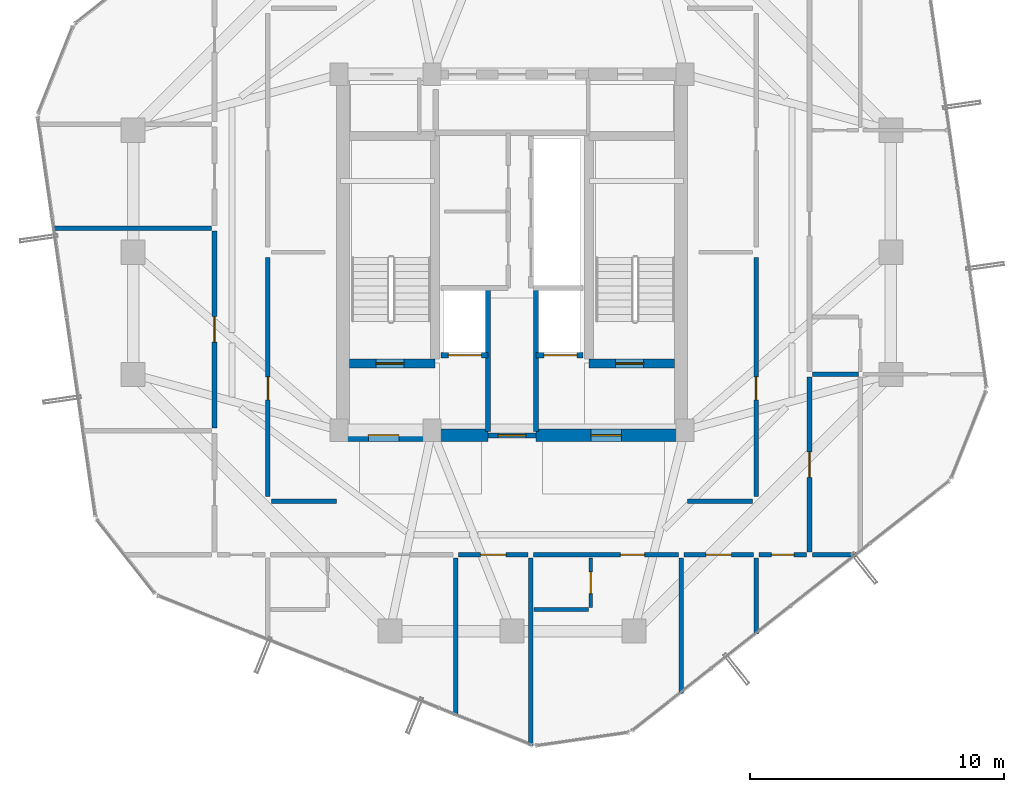
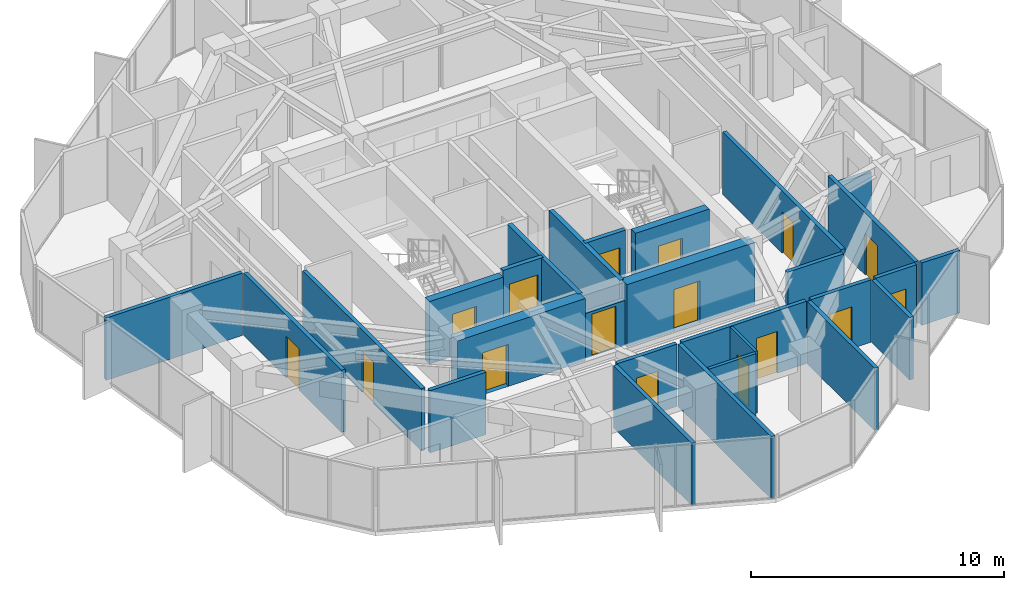
# One storey, part 27 of 31: 28 walls, 16 doors, 16 openings.
"""IFC4 building model written with IfcOpenShell, lengths in metres."""

from ifc_helpers import new_model, si_unit, direction, frame, frame_2d, origin, place, context, subcontext, project, spatial, rectangle, extrude, source, transform, mapped, material, layer, layer_set, type_object, element, fill, save


model = new_model("IFC4")

# Units and contexts
model_context = context("Model", 3, precision=1e-05, world=origin(), true_north=direction((0.0, 1.0)))
body_context = subcontext(model_context, "Body", "Model", "MODEL_VIEW")
ifc_project = project(units=[si_unit("LENGTHUNIT", "METRE"), si_unit("AREAUNIT", "SQUARE_METRE"), si_unit("VOLUMEUNIT", "CUBIC_METRE"), si_unit("PLANEANGLEUNIT", "RADIAN"), si_unit("MASSUNIT", "GRAM", prefix="KILO")], contexts=[model_context])

# Site, building, storey
site_placement = place(None, origin())
site = spatial("IfcSite", under=ifc_project, at=site_placement, CompositionType="ELEMENT")
building_placement = place(site_placement, origin())
building = spatial("IfcBuilding", under=site, at=building_placement, Name="Veraguas Prism Commons", CompositionType="ELEMENT")
storey_placement = place(building_placement, frame((0.0, 0.0, 178.85009765625)))
storey = spatial("IfcBuildingStorey", under=building, at=storey_placement, Name="L50", CompositionType="ELEMENT", Elevation=178.85009765625)

# Wall, opening, door
ifc_material_1 = material(Name="Concrete C50/60", Category="concrete")
ifc_layer_1 = layer(ifc_material_1, 0.35009765625, Name="Core Internal Shear Wall Upper RC 350", Category="concrete")
ifc_layer_set_1 = layer_set([ifc_layer_1], Name="Concrete C50/60")
wall_type_1 = type_object("IfcWallType", Name="Core Internal Shear Wall Upper RC 350", PredefinedType="SHEAR", material=ifc_layer_set_1)
wall_1_placement = place(storey_placement, frame((17.60009765625, 19.625, 0.0), z_axis=(0.0, 0.0, 1.0), x_axis=(1.0, 0.0, 0.0)))
wall_1 = element("IfcWall", 1, at=wall_1_placement, inside=storey, type_object=wall_type_1, Name="Stair ST-01 South Shear Wall L50", PredefinedType="SHEAR", context=body_context, shape_type="SweptSolid", body=[
    extrude(rectangle(XDim=3.375, YDim=0.35009765625, at=frame_2d((1.6875, 0.0))), origin(), (0.0, 0.0, 1.0), 3.014892578125),
])
opening_1_placement = place(wall_1_placement, frame((1.050048828125, 0.0, 0.0)))
opening_1 = element("IfcOpeningElement", 2, at=opening_1_placement, cuts=wall_1, Name="Opening DR-05", PredefinedType="OPENING", context=body_context, shape_type="SweptSolid", body=[
    extrude(rectangle(XDim=1.10009765625, YDim=2.030029296875, at=frame_2d((0.550048828125, 1.01513671875))), frame((0.0, 0.18505859375, 0.0), z_axis=(0.0, -1.0, 0.0), x_axis=(1.0, 0.0, 0.0)), (0.0, 0.0, 1.0), 0.3701171875),
])
ifc_material_2 = material(Name="Steel fire-rated door assembly", Category="steel")
door_type_1 = type_object("IfcDoorType", Name="Protected Stair and Refuge Fire Door 1100x2030", OperationType="NOTDEFINED", PredefinedType="DOOR", material=ifc_material_2)
shared_shape_1 = source(origin(), body_context, "Body", "SweptSolid", [
    extrude(rectangle(XDim=1.10009765625, YDim=2.030029296875, at=frame_2d((0.550048828125, 1.01513671875))), frame((0.0, 0.02490234375, 0.0), z_axis=(0.0, -1.0, 0.0), x_axis=(1.0, 0.0, 0.0)), (0.0, 0.0, 1.0), 0.050048828125),
])
door_1_placement = place(opening_1_placement, origin())
door_1 = element("IfcDoor", 3, at=door_1_placement, inside=storey, type_object=door_type_1, Name="Stair ST-01 Enclosure Door L50", OperationType="SINGLE_SWING_LEFT", OverallHeight=2.030029296875, OverallWidth=1.10009765625, PredefinedType="DOOR", context=body_context, shape_type="MappedRepresentation", body=[
    mapped(shared_shape_1, transform((0.0, 0.0, 0.0), scale=1.0)),
])
fill(opening_1, door_1)

wall_2_placement = place(storey_placement, frame((27.02490234375, 19.625, 0.0), z_axis=(0.0, 0.0, 1.0), x_axis=(1.0, 0.0, 0.0)))
wall_2 = element("IfcWall", 4, at=wall_2_placement, inside=storey, type_object=wall_type_1, Name="Stair ST-02 South Shear Wall L50", PredefinedType="SHEAR", context=body_context, shape_type="SweptSolid", body=[
    extrude(rectangle(XDim=3.375, YDim=0.35009765625, at=frame_2d((1.6875, 0.0))), origin(), (0.0, 0.0, 1.0), 3.014892578125),
])
opening_2_placement = place(wall_2_placement, frame((1.050048828125, 0.0, 0.0)))
opening_2 = element("IfcOpeningElement", 5, at=opening_2_placement, cuts=wall_2, Name="Opening DR-05", PredefinedType="OPENING", context=body_context, shape_type="SweptSolid", body=[
    extrude(rectangle(XDim=1.10009765625, YDim=2.030029296875, at=frame_2d((0.550048828125, 1.01513671875))), frame((0.0, 0.18505859375, 0.0), z_axis=(0.0, -1.0, 0.0), x_axis=(1.0, 0.0, 0.0)), (0.0, 0.0, 1.0), 0.3701171875),
])
door_2_placement = place(opening_2_placement, origin())
door_2 = element("IfcDoor", 6, at=door_2_placement, inside=storey, type_object=door_type_1, Name="Stair ST-02 Enclosure Door L50", OperationType="SINGLE_SWING_RIGHT", OverallHeight=2.030029296875, OverallWidth=1.10009765625, PredefinedType="DOOR", context=body_context, shape_type="MappedRepresentation", body=[
    mapped(shared_shape_1, transform((0.0, 0.0, 0.0), scale=1.0)),
])
fill(opening_2, door_2)

ifc_layer_2 = layer(ifc_material_1, 0.5, Name="Core Outer Shear Wall Upper RC 500", Category="concrete")
ifc_layer_set_2 = layer_set([ifc_layer_2], Name="Concrete C50/60")
wall_type_2 = type_object("IfcWallType", Name="Core Outer Shear Wall Upper RC 500", PredefinedType="SHEAR", material=ifc_layer_set_2)
wall_3_placement = place(storey_placement, frame((17.199951171875, 16.800048828125, 0.0), z_axis=(0.0, 0.0, 1.0), x_axis=(1.0, 0.0, 0.0)))
wall_3 = element("IfcWall", 7, at=wall_3_placement, inside=storey, type_object=wall_type_2, Name="Central Core South-West Shear Wall L50", PredefinedType="SHEAR", context=body_context, shape_type="SweptSolid", body=[
    extrude(rectangle(XDim=5.85009765625, YDim=0.5, at=frame_2d((2.925048828125, 0.0))), origin(), (0.0, 0.0, 1.0), 3.014892578125),
])
opening_3_placement = place(wall_3_placement, frame((1.14990234375, 0.0, 0.0)))
opening_3 = element("IfcOpeningElement", 8, at=opening_3_placement, cuts=wall_3, Name="Opening DR-06", PredefinedType="OPENING", context=body_context, shape_type="SweptSolid", body=[
    extrude(rectangle(XDim=1.199951171875, YDim=2.030029296875, at=frame_2d((0.60009765625, 1.01513671875))), frame((0.0, 0.260009765625, 0.0), z_axis=(0.0, -1.0, 0.0), x_axis=(1.0, 0.0, 0.0)), (0.0, 0.0, 1.0), 0.52001953125),
])
door_type_2 = type_object("IfcDoorType", Name="Firefighting Lobby Smoke Door 1200x2030", OperationType="NOTDEFINED", PredefinedType="DOOR", material=ifc_material_2)
shared_shape_2 = source(origin(), body_context, "Body", "SweptSolid", [
    extrude(rectangle(XDim=1.199951171875, YDim=2.030029296875, at=frame_2d((0.60009765625, 1.01513671875))), frame((0.0, 0.02490234375, 0.0), z_axis=(0.0, -1.0, 0.0), x_axis=(1.0, 0.0, 0.0)), (0.0, 0.0, 1.0), 0.050048828125),
])
door_3_placement = place(opening_3_placement, origin())
door_3 = element("IfcDoor", 9, at=door_3_placement, inside=storey, type_object=door_type_2, Name="West FF Lobby Door L50", OperationType="SINGLE_SWING_RIGHT", OverallHeight=2.030029296875, OverallWidth=1.199951171875, PredefinedType="DOOR", context=body_context, shape_type="MappedRepresentation", body=[
    mapped(shared_shape_2, transform((0.0, 0.0, 0.0), scale=1.0)),
])
fill(opening_3, door_3)

wall_4_placement = place(storey_placement, frame((24.949951171875, 16.800048828125, 0.0), z_axis=(0.0, 0.0, 1.0), x_axis=(1.0, 0.0, 0.0)))
wall_4 = element("IfcWall", 10, at=wall_4_placement, inside=storey, type_object=wall_type_2, Name="Central Core South-East Shear Wall L50", PredefinedType="SHEAR", context=body_context, shape_type="SweptSolid", body=[
    extrude(rectangle(XDim=5.85009765625, YDim=0.5, at=frame_2d((2.925048828125, 0.0))), origin(), (0.0, 0.0, 1.0), 3.014892578125),
])
opening_4_placement = place(wall_4_placement, frame((2.14990234375, 0.0, 0.0)))
opening_4 = element("IfcOpeningElement", 11, at=opening_4_placement, cuts=wall_4, Name="Opening DR-06", PredefinedType="OPENING", context=body_context, shape_type="SweptSolid", body=[
    extrude(rectangle(XDim=1.199951171875, YDim=2.030029296875, at=frame_2d((0.60009765625, 1.01513671875))), frame((0.0, 0.260009765625, 0.0), z_axis=(0.0, -1.0, 0.0), x_axis=(1.0, 0.0, 0.0)), (0.0, 0.0, 1.0), 0.52001953125),
])
door_4_placement = place(opening_4_placement, origin())
door_4 = element("IfcDoor", 12, at=door_4_placement, inside=storey, type_object=door_type_2, Name="East FF Lobby Door L50", OperationType="SINGLE_SWING_RIGHT", OverallHeight=2.030029296875, OverallWidth=1.199951171875, PredefinedType="DOOR", context=body_context, shape_type="MappedRepresentation", body=[
    mapped(shared_shape_2, transform((0.0, 0.0, 0.0), scale=1.0)),
])
fill(opening_4, door_4)

ifc_material_3 = material(Name="Autoclaved aerated masonry block 10 MPa", Category="masonry")
ifc_layer_3 = layer(ifc_material_3, 0.179931640625, Name="Corridor and Inter-Tenancy Partition 180", Category="masonry")
ifc_layer_set_3 = layer_set([ifc_layer_3], Name="Autoclaved aerated masonry block 10 MPa")
wall_type_3 = type_object("IfcWallType", Name="Corridor and Inter-Tenancy Partition 180", PredefinedType="PARTITIONING", material=ifc_layer_set_3)
wall_5_placement = place(storey_placement, frame((14.39990234375, 14.39990234375, 0.0), z_axis=(0.0, 0.0, 1.0), x_axis=(0.0, 1.0, 0.0)))
wall_5 = element("IfcWall", 13, at=wall_5_placement, inside=storey, type_object=wall_type_3, Name="WL-L50-IRW1", PredefinedType="PARTITIONING", context=body_context, shape_type="SweptSolid", body=[
    extrude(rectangle(XDim=9.400146484375, YDim=0.179931640625, at=frame_2d((4.7001953125, 0.0))), origin(), (0.0, 0.0, 1.0), 3.014892578125),
])
opening_5_placement = place(wall_5_placement, frame((3.800048828125, 0.0, 0.0)))
opening_5 = element("IfcOpeningElement", 14, at=opening_5_placement, cuts=wall_5, Name="Opening DR-14", PredefinedType="OPENING", context=body_context, shape_type="SweptSolid", body=[
    extrude(rectangle(XDim=0.89990234375, YDim=2.010009765625, at=frame_2d((0.449951171875, 1.0048828125))), frame((0.0, 0.099853515625, 0.0), z_axis=(0.0, -1.0, 0.0), x_axis=(1.0, 0.0, 0.0)), (0.0, 0.0, 1.0), 0.199951171875),
])
door_type_3 = type_object("IfcDoorType", Name="Core Service Room Fire Door 900x2010", OperationType="NOTDEFINED", PredefinedType="DOOR", material=ifc_material_2)
shared_shape_3 = source(origin(), body_context, "Body", "SweptSolid", [
    extrude(rectangle(XDim=0.89990234375, YDim=2.010009765625, at=frame_2d((0.449951171875, 1.0048828125))), frame((0.0, 0.02490234375, 0.0), z_axis=(0.0, -1.0, 0.0), x_axis=(1.0, 0.0, 0.0)), (0.0, 0.0, 1.0), 0.050048828125),
])
door_5_placement = place(opening_5_placement, origin())
door_5 = element("IfcDoor", 15, at=door_5_placement, inside=storey, type_object=door_type_3, Name="Residents Quiet Study Pod Door L50", OperationType="SINGLE_SWING_LEFT", OverallHeight=2.010009765625, OverallWidth=0.89990234375, PredefinedType="DOOR", context=body_context, shape_type="MappedRepresentation", body=[
    mapped(shared_shape_3, transform((0.0, 0.0, 0.0), scale=1.0)),
])
fill(opening_5, door_5)

wall_6_placement = place(storey_placement, frame((33.60009765625, 14.39990234375, 0.0), z_axis=(0.0, 0.0, 1.0), x_axis=(0.0, 1.0, 0.0)))
wall_6 = element("IfcWall", 16, at=wall_6_placement, inside=storey, type_object=wall_type_3, Name="WL-L50-IRE1", PredefinedType="PARTITIONING", context=body_context, shape_type="SweptSolid", body=[
    extrude(rectangle(XDim=9.400146484375, YDim=0.179931640625, at=frame_2d((4.7001953125, 0.0))), origin(), (0.0, 0.0, 1.0), 3.014892578125),
])
opening_6_placement = place(wall_6_placement, frame((3.800048828125, 0.0, 0.0)))
opening_6 = element("IfcOpeningElement", 17, at=opening_6_placement, cuts=wall_6, Name="Opening DR-14", PredefinedType="OPENING", context=body_context, shape_type="SweptSolid", body=[
    extrude(rectangle(XDim=0.89990234375, YDim=2.010009765625, at=frame_2d((0.449951171875, 1.0048828125))), frame((0.0, 0.099853515625, 0.0), z_axis=(0.0, -1.0, 0.0), x_axis=(1.0, 0.0, 0.0)), (0.0, 0.0, 1.0), 0.199951171875),
])
door_6_placement = place(opening_6_placement, origin())
door_6 = element("IfcDoor", 18, at=door_6_placement, inside=storey, type_object=door_type_3, Name="Shared Laundry Annex Door L50", OperationType="SINGLE_SWING_LEFT", OverallHeight=2.010009765625, OverallWidth=0.89990234375, PredefinedType="DOOR", context=body_context, shape_type="MappedRepresentation", body=[
    mapped(shared_shape_3, transform((0.0, 0.0, 0.0), scale=1.0)),
])
fill(opening_6, door_6)

# Walls
for number, where, z_axis, x_axis, name in (
    (19, (14.550048828125, 14.199951171875, 0.0), (0.0, 0.0, 1.0), (1.0, 0.0, 0.0), "WL-L50-IRWS"),
    (20, (30.89990234375, 14.199951171875, 0.0), (0.0, 0.0, 1.0), (1.0, 0.0, 0.0), "WL-L50-IRES"),
):
    element("IfcWall", number, at=place(storey_placement, frame(where, z_axis=z_axis, x_axis=x_axis)), inside=storey, type_object=wall_type_3, Name=name, PredefinedType="PARTITIONING", context=body_context, shape_type="SweptSolid", body=[
        extrude(rectangle(XDim=2.550048828125, YDim=0.179931640625, at=frame_2d((1.27490234375, 0.0))), origin(), (0.0, 0.0, 1.0), 3.014892578125),
    ])
wall_7_placement = place(storey_placement, frame((33.60009765625, 11.97998046875, 0.0), z_axis=(0.0, 0.0, 1.0), x_axis=(0.0, -1.0, 0.0)))
element("IfcWall", 21, at=wall_7_placement, inside=storey, type_object=wall_type_3, Name="WL-L50-PT002", PredefinedType="PARTITIONING", context=body_context, shape_type="SweptSolid", body=[
    extrude(rectangle(XDim=3.000732421875, YDim=0.179931640625, at=frame_2d((1.50048828125, 0.0))), origin(), (0.0, 0.0, 1.0), 3.014892578125),
])

# Wall, opening, door
wall_8_placement = place(storey_placement, frame((21.904052734375, 12.10009765625, 0.0), z_axis=(0.0, 0.0, 1.0), x_axis=(1.0, 0.0, 0.0)))
wall_8 = element("IfcWall", 22, at=wall_8_placement, inside=storey, type_object=wall_type_3, Name="WL-L50-PT003", PredefinedType="PARTITIONING", context=body_context, shape_type="SweptSolid", body=[
    extrude(rectangle(XDim=2.72998046875, YDim=0.179931640625, at=frame_2d((1.364990234375, 0.0))), origin(), (0.0, 0.0, 1.0), 3.014892578125),
])
opening_7_placement = place(wall_8_placement, frame((0.864990234375, 0.0, 0.0)))
opening_7 = element("IfcOpeningElement", 23, at=opening_7_placement, cuts=wall_8, Name="Opening DR-13", PredefinedType="OPENING", context=body_context, shape_type="SweptSolid", body=[
    extrude(rectangle(XDim=1.0, YDim=2.010009765625, at=frame_2d((0.5, 1.0048828125))), frame((0.0, 0.099853515625, 0.0), z_axis=(0.0, -1.0, 0.0), x_axis=(1.0, 0.0, 0.0)), (0.0, 0.0, 1.0), 0.199951171875),
])
door_type_4 = type_object("IfcDoorType", Name="Core Accessible WC and Clinic Fire Door 1000x2010", OperationType="NOTDEFINED", PredefinedType="DOOR", material=ifc_material_2)
shared_shape_4 = source(origin(), body_context, "Body", "SweptSolid", [
    extrude(rectangle(XDim=1.0, YDim=2.010009765625, at=frame_2d((0.5, 1.0048828125))), frame((0.0, 0.02490234375, 0.0), z_axis=(0.0, -1.0, 0.0), x_axis=(1.0, 0.0, 0.0)), (0.0, 0.0, 1.0), 0.050048828125),
])
door_7_placement = place(opening_7_placement, origin())
door_7 = element("IfcDoor", 24, at=door_7_placement, inside=storey, type_object=door_type_4, Name="Quiet Study S Door", OperationType="SINGLE_SWING_LEFT", OverallHeight=2.010009765625, OverallWidth=1.0, PredefinedType="DOOR", context=body_context, shape_type="MappedRepresentation", body=[
    mapped(shared_shape_4, transform((0.0, 0.0, 0.0), scale=1.0)),
])
fill(opening_7, door_7)

# Walls
wall_9_placement = place(storey_placement, frame((21.7939453125, 11.97998046875, 0.0), z_axis=(0.0, 0.0, 1.0), x_axis=(0.0, -1.0, 0.0)))
element("IfcWall", 25, at=wall_9_placement, inside=storey, type_object=wall_type_3, Name="WL-L50-PT004", PredefinedType="PARTITIONING", context=body_context, shape_type="SweptSolid", body=[
    extrude(rectangle(XDim=6.202392578125, YDim=0.179931640625, at=frame_2d((3.10107421875, 0.0))), origin(), (0.0, 0.0, 1.0), 3.014892578125),
])
wall_10_placement = place(storey_placement, frame((24.743896484375, 11.97998046875, 0.0), z_axis=(0.0, 0.0, 1.0), x_axis=(0.0, -1.0, 0.0)))
element("IfcWall", 26, at=wall_10_placement, inside=storey, type_object=wall_type_3, Name="WL-L50-PT008", PredefinedType="PARTITIONING", context=body_context, shape_type="SweptSolid", body=[
    extrude(rectangle(XDim=7.381103515625, YDim=0.179931640625, at=frame_2d((3.6904296875, 0.0))), origin(), (0.0, 0.0, 1.0), 3.014892578125),
])

# Wall, opening, door
wall_11_placement = place(storey_placement, frame((30.760009765625, 12.10009765625, 0.0), z_axis=(0.0, 0.0, 1.0), x_axis=(1.0, 0.0, 0.0)))
wall_11 = element("IfcWall", 27, at=wall_11_placement, inside=storey, type_object=wall_type_3, Name="WL-L50-PT009", PredefinedType="PARTITIONING", context=body_context, shape_type="SweptSolid", body=[
    extrude(rectangle(XDim=2.72998046875, YDim=0.179931640625, at=frame_2d((1.364990234375, 0.0))), origin(), (0.0, 0.0, 1.0), 3.014892578125),
])
opening_8_placement = place(wall_11_placement, frame((0.864990234375, 0.0, 0.0)))
opening_8 = element("IfcOpeningElement", 28, at=opening_8_placement, cuts=wall_11, Name="Opening DR-13", PredefinedType="OPENING", context=body_context, shape_type="SweptSolid", body=[
    extrude(rectangle(XDim=1.0, YDim=2.010009765625, at=frame_2d((0.5, 1.0048828125))), frame((0.0, 0.099853515625, 0.0), z_axis=(0.0, -1.0, 0.0), x_axis=(1.0, 0.0, 0.0)), (0.0, 0.0, 1.0), 0.199951171875),
])
door_8_placement = place(opening_8_placement, origin())
door_8 = element("IfcDoor", 29, at=door_8_placement, inside=storey, type_object=door_type_4, Name="Quiet Study S Door", OperationType="SINGLE_SWING_RIGHT", OverallHeight=2.010009765625, OverallWidth=1.0, PredefinedType="DOOR", context=body_context, shape_type="MappedRepresentation", body=[
    mapped(shared_shape_4, transform((0.0, 0.0, 0.0), scale=1.0)),
])
fill(opening_8, door_8)

# Wall
wall_12_placement = place(storey_placement, frame((30.64990234375, 11.97998046875, 0.0), z_axis=(0.0, 0.0, 1.0), x_axis=(0.0, -1.0, 0.0)))
element("IfcWall", 30, at=wall_12_placement, inside=storey, type_object=wall_type_3, Name="WL-L50-PT010", PredefinedType="PARTITIONING", context=body_context, shape_type="SweptSolid", body=[
    extrude(rectangle(XDim=5.32373046875, YDim=0.179931640625, at=frame_2d((2.661865234375, 0.0))), origin(), (0.0, 0.0, 1.0), 3.014892578125),
])

# Wall, opening, door
wall_13_placement = place(storey_placement, frame((24.85400390625, 12.10009765625, 0.0), z_axis=(0.0, 0.0, 1.0), x_axis=(1.0, 0.0, 0.0)))
wall_13 = element("IfcWall", 31, at=wall_13_placement, inside=storey, type_object=wall_type_3, Name="WL-L50-PT011", PredefinedType="PARTITIONING", context=body_context, shape_type="SweptSolid", body=[
    extrude(rectangle(XDim=5.68603515625, YDim=0.179931640625, at=frame_2d((2.843017578125, 0.0))), origin(), (0.0, 0.0, 1.0), 3.014892578125),
])
opening_9_placement = place(wall_13_placement, frame((3.40869140625, 0.0, 0.0)))
opening_9 = element("IfcOpeningElement", 32, at=opening_9_placement, cuts=wall_13, Name="Opening DR-01", PredefinedType="OPENING", context=body_context, shape_type="SweptSolid", body=[
    extrude(rectangle(XDim=0.949951171875, YDim=2.02001953125, at=frame_2d((0.47509765625, 1.010009765625))), frame((0.0, 0.099853515625, 0.0), z_axis=(0.0, -1.0, 0.0), x_axis=(1.0, 0.0, 0.0)), (0.0, 0.0, 1.0), 0.199951171875),
])
ifc_material_4 = material(Name="Anodised aluminium EN AW-6063 T6", Category="aluminium")
door_type_5 = type_object("IfcDoorType", Name="Apartment Entrance Fire Door 950x2020", OperationType="NOTDEFINED", PredefinedType="DOOR", material=ifc_material_4)
shared_shape_5 = source(origin(), body_context, "Body", "SweptSolid", [
    extrude(rectangle(XDim=0.949951171875, YDim=2.02001953125, at=frame_2d((0.47509765625, 1.010009765625))), frame((0.0, 0.02490234375, 0.0), z_axis=(0.0, -1.0, 0.0), x_axis=(1.0, 0.0, 0.0)), (0.0, 0.0, 1.0), 0.050048828125),
])
door_9_placement = place(opening_9_placement, origin())
door_9 = element("IfcDoor", 33, at=door_9_placement, inside=storey, type_object=door_type_5, Name="Studio 50B Entrance Door", OperationType="SINGLE_SWING_LEFT", OverallHeight=2.02001953125, OverallWidth=0.949951171875, PredefinedType="DOOR", context=body_context, shape_type="MappedRepresentation", body=[
    mapped(shared_shape_5, transform((0.0, 0.0, 0.0), scale=1.0)),
])
fill(opening_9, door_9)

wall_14_placement = place(storey_placement, frame((12.300048828125, 17.093994140625, 0.0), z_axis=(0.0, 0.0, 1.0), x_axis=(0.0, 1.0, 0.0)))
wall_14 = element("IfcWall", 34, at=wall_14_placement, inside=storey, type_object=wall_type_3, Name="WL-L50-PT030", PredefinedType="PARTITIONING", context=body_context, shape_type="SweptSolid", body=[
    extrude(rectangle(XDim=7.748046875, YDim=0.179931640625, at=frame_2d((3.8740234375, 0.0))), origin(), (0.0, 0.0, 1.0), 3.014892578125),
])
opening_10_placement = place(wall_14_placement, frame((3.3740234375, 0.0, 0.0)))
opening_10 = element("IfcOpeningElement", 35, at=opening_10_placement, cuts=wall_14, Name="Opening DR-13", PredefinedType="OPENING", context=body_context, shape_type="SweptSolid", body=[
    extrude(rectangle(XDim=1.0, YDim=2.010009765625, at=frame_2d((0.5, 1.0048828125))), frame((0.0, 0.099853515625, 0.0), z_axis=(0.0, -1.0, 0.0), x_axis=(1.0, 0.0, 0.0)), (0.0, 0.0, 1.0), 0.199951171875),
])
door_10_placement = place(opening_10_placement, origin())
door_10 = element("IfcDoor", 36, at=door_10_placement, inside=storey, type_object=door_type_4, Name="Co-op Store W Door", OperationType="SINGLE_SWING_RIGHT", OverallHeight=2.010009765625, OverallWidth=1.0, PredefinedType="DOOR", context=body_context, shape_type="MappedRepresentation", body=[
    mapped(shared_shape_4, transform((0.0, 0.0, 0.0), scale=1.0)),
])
fill(opening_10, door_10)

# Walls
wall_15_placement = place(storey_placement, frame((12.179931640625, 24.951904296875, 0.0), z_axis=(0.0, 0.0, 1.0), x_axis=(-1.0, 0.0, 0.0)))
element("IfcWall", 37, at=wall_15_placement, inside=storey, type_object=wall_type_3, Name="WL-L50-PT032", PredefinedType="PARTITIONING", context=body_context, shape_type="SweptSolid", body=[
    extrude(rectangle(XDim=6.241943359375, YDim=0.179931640625, at=frame_2d((3.12109375, 0.0))), origin(), (0.0, 0.0, 1.0), 3.014892578125),
])
wall_16_placement = place(storey_placement, frame((35.820068359375, 12.10009765625, 0.0), z_axis=(0.0, 0.0, 1.0), x_axis=(1.0, 0.0, 0.0)))
element("IfcWall", 38, at=wall_16_placement, inside=storey, type_object=wall_type_3, Name="WL-L50-PT036", PredefinedType="PARTITIONING", context=body_context, shape_type="SweptSolid", body=[
    extrude(rectangle(XDim=1.742919921875, YDim=0.179931640625, at=frame_2d((0.87158203125, 0.0))), origin(), (0.0, 0.0, 1.0), 3.014892578125),
])

# Wall, opening, door
wall_17_placement = place(storey_placement, frame((35.699951171875, 12.2099609375, 0.0), z_axis=(0.0, 0.0, 1.0), x_axis=(0.0, 1.0, 0.0)))
wall_17 = element("IfcWall", 39, at=wall_17_placement, inside=storey, type_object=wall_type_3, Name="WL-L50-PT038", PredefinedType="PARTITIONING", context=body_context, shape_type="SweptSolid", body=[
    extrude(rectangle(XDim=6.880126953125, YDim=0.179931640625, at=frame_2d((3.43994140625, 0.0))), origin(), (0.0, 0.0, 1.0), 3.014892578125),
])
opening_11_placement = place(wall_17_placement, frame((2.93994140625, 0.0, 0.0)))
opening_11 = element("IfcOpeningElement", 40, at=opening_11_placement, cuts=wall_17, Name="Opening DR-13", PredefinedType="OPENING", context=body_context, shape_type="SweptSolid", body=[
    extrude(rectangle(XDim=1.0, YDim=2.010009765625, at=frame_2d((0.5, 1.0048828125))), frame((0.0, 0.099853515625, 0.0), z_axis=(0.0, -1.0, 0.0), x_axis=(1.0, 0.0, 0.0)), (0.0, 0.0, 1.0), 0.199951171875),
])
door_11_placement = place(opening_11_placement, origin())
door_11 = element("IfcDoor", 41, at=door_11_placement, inside=storey, type_object=door_type_4, Name="Residents Study Alcove 50F Door", OperationType="SINGLE_SWING_LEFT", OverallHeight=2.010009765625, OverallWidth=1.0, PredefinedType="DOOR", context=body_context, shape_type="MappedRepresentation", body=[
    mapped(shared_shape_4, transform((0.0, 0.0, 0.0), scale=1.0)),
])
fill(opening_11, door_11)

# Wall
wall_18_placement = place(storey_placement, frame((35.820068359375, 19.199951171875, 0.0), z_axis=(0.0, 0.0, 1.0), x_axis=(1.0, 0.0, 0.0)))
element("IfcWall", 42, at=wall_18_placement, inside=storey, type_object=wall_type_3, Name="WL-L50-PT041", PredefinedType="PARTITIONING", context=body_context, shape_type="SweptSolid", body=[
    extrude(rectangle(XDim=1.800048828125, YDim=0.179931640625, at=frame_2d((0.89990234375, 0.0))), origin(), (0.0, 0.0, 1.0), 2.468994140625),
])

# Wall, opening, door
wall_19_placement = place(storey_placement, frame((33.719970703125, 12.10009765625, 0.0), z_axis=(0.0, 0.0, 1.0), x_axis=(1.0, 0.0, 0.0)))
wall_19 = element("IfcWall", 43, at=wall_19_placement, inside=storey, type_object=wall_type_3, Name="WL-L50-PT049", PredefinedType="PARTITIONING", context=body_context, shape_type="SweptSolid", body=[
    extrude(rectangle(XDim=1.860107421875, YDim=0.179931640625, at=frame_2d((0.93017578125, 0.0))), origin(), (0.0, 0.0, 1.0), 3.014892578125),
])
opening_12_placement = place(wall_19_placement, frame((0.47998046875, 0.0, 0.0)))
opening_12 = element("IfcOpeningElement", 44, at=opening_12_placement, cuts=wall_19, Name="Opening DR-14", PredefinedType="OPENING", context=body_context, shape_type="SweptSolid", body=[
    extrude(rectangle(XDim=0.89990234375, YDim=2.010009765625, at=frame_2d((0.449951171875, 1.0048828125))), frame((0.0, 0.099853515625, 0.0), z_axis=(0.0, -1.0, 0.0), x_axis=(1.0, 0.0, 0.0)), (0.0, 0.0, 1.0), 0.199951171875),
])
door_12_placement = place(opening_12_placement, origin())
door_12 = element("IfcDoor", 45, at=door_12_placement, inside=storey, type_object=door_type_3, Name="Residents Cycle and Pram Store SE Door", OperationType="SINGLE_SWING_RIGHT", OverallHeight=2.010009765625, OverallWidth=0.89990234375, PredefinedType="DOOR", context=body_context, shape_type="MappedRepresentation", body=[
    mapped(shared_shape_3, transform((0.0, 0.0, 0.0), scale=1.0)),
])
fill(opening_12, door_12)

ifc_material_5 = material(Name="Lightweight acoustic gypsum board")
ifc_layer_4 = layer(ifc_material_5, 0.125, Name="Internal Apartment Room Partition 125")
ifc_layer_set_4 = layer_set([ifc_layer_4], Name="Lightweight acoustic gypsum board")
wall_type_4 = type_object("IfcWallType", Name="Internal Apartment Room Partition 125", PredefinedType="PARTITIONING", material=ifc_layer_set_4)
wall_20_placement = place(storey_placement, frame((27.093994140625, 11.97998046875, 0.0), z_axis=(0.0, 0.0, 1.0), x_axis=(0.0, -1.0, 0.0)))
wall_20 = element("IfcWall", 46, at=wall_20_placement, inside=storey, type_object=wall_type_4, Name="WL-L50-PT012", PredefinedType="PARTITIONING", context=body_context, shape_type="SweptSolid", body=[
    extrude(rectangle(XDim=1.949951171875, YDim=0.125, at=frame_2d((0.97509765625, 0.0))), origin(), (0.0, 0.0, 1.0), 3.014892578125),
])
opening_13_placement = place(wall_20_placement, frame((0.544921875, 0.0, 0.0)))
opening_13 = element("IfcOpeningElement", 47, at=opening_13_placement, cuts=wall_20, Name="Opening DR-03", PredefinedType="OPENING", context=body_context, shape_type="SweptSolid", body=[
    extrude(rectangle(XDim=0.860107421875, YDim=2.010009765625, at=frame_2d((0.43017578125, 1.0048828125))), frame((0.0, 0.072509765625, 0.0), z_axis=(0.0, -1.0, 0.0), x_axis=(1.0, 0.0, 0.0)), (0.0, 0.0, 1.0), 0.14501953125),
])
ifc_material_6 = material(Name="Timber moisture-resistant leaf", Category="wood")
door_type_6 = type_object("IfcDoorType", Name="Internal Bathroom Door 860x2010", OperationType="NOTDEFINED", PredefinedType="DOOR", material=ifc_material_6)
shared_shape_6 = source(origin(), body_context, "Body", "SweptSolid", [
    extrude(rectangle(XDim=0.860107421875, YDim=2.010009765625, at=frame_2d((0.43017578125, 1.0048828125))), frame((0.0, 0.02490234375, 0.0), z_axis=(0.0, -1.0, 0.0), x_axis=(1.0, 0.0, 0.0)), (0.0, 0.0, 1.0), 0.050048828125),
])
door_13_placement = place(opening_13_placement, origin())
door_13 = element("IfcDoor", 48, at=door_13_placement, inside=storey, type_object=door_type_6, Name="Studio 50B Bathroom Door", OperationType="SINGLE_SWING_RIGHT", OverallHeight=2.010009765625, OverallWidth=0.860107421875, PredefinedType="DOOR", context=body_context, shape_type="MappedRepresentation", body=[
    mapped(shared_shape_6, transform((0.0, 0.0, 0.0), scale=1.0)),
])
fill(opening_13, door_13)

ifc_layer_5 = layer(ifc_material_3, 0.199951171875, Name="Rated Shaft and Lobby Block Wall 200", Category="masonry")
ifc_layer_set_5 = layer_set([ifc_layer_5], Name="Autoclaved aerated masonry block 10 MPa")
wall_type_5 = type_object("IfcWallType", Name="Rated Shaft and Lobby Block Wall 200", PredefinedType="SOLIDWALL", material=ifc_layer_set_5)
wall_21_placement = place(storey_placement, frame((23.050048828125, 16.800048828125, 0.0), z_axis=(0.0, 0.0, 1.0), x_axis=(1.0, 0.0, 0.0)))
wall_21 = element("IfcWall", 49, at=wall_21_placement, inside=storey, type_object=wall_type_5, Name="Central Core Lobby Entrance Wall L50", PredefinedType="SOLIDWALL", context=body_context, shape_type="SweptSolid", body=[
    extrude(rectangle(XDim=1.89990234375, YDim=0.199951171875, at=frame_2d((0.949951171875, 0.0))), origin(), (0.0, 0.0, 1.0), 2.164794921875),
])
opening_14_placement = place(wall_21_placement, frame((0.39990234375, 0.0, 0.0)))
opening_14 = element("IfcOpeningElement", 50, at=opening_14_placement, cuts=wall_21, Name="Opening DR-05", PredefinedType="OPENING", context=body_context, shape_type="SweptSolid", body=[
    extrude(rectangle(XDim=1.10009765625, YDim=2.030029296875, at=frame_2d((0.550048828125, 1.01513671875))), frame((0.0, 0.10986328125, 0.0), z_axis=(0.0, -1.0, 0.0), x_axis=(1.0, 0.0, 0.0)), (0.0, 0.0, 1.0), 0.219970703125),
])
door_14_placement = place(opening_14_placement, origin())
door_14 = element("IfcDoor", 51, at=door_14_placement, inside=storey, type_object=door_type_1, Name="Central Lobby Door L50", OperationType="SINGLE_SWING_LEFT", OverallHeight=2.030029296875, OverallWidth=1.10009765625, PredefinedType="DOOR", context=body_context, shape_type="MappedRepresentation", body=[
    mapped(shared_shape_1, transform((0.0, 0.0, 0.0), scale=1.0)),
])
fill(opening_14, door_14)

wall_22_placement = place(storey_placement, frame((21.199951171875, 19.949951171875, 0.0), z_axis=(0.0, 0.0, 1.0), x_axis=(1.0, 0.0, 0.0)))
wall_22 = element("IfcWall", 52, at=wall_22_placement, inside=storey, type_object=wall_type_5, Name="Firefighting Lift FFL-1 Front Wall L50", PredefinedType="SOLIDWALL", context=body_context, shape_type="SweptSolid", body=[
    extrude(rectangle(XDim=1.85009765625, YDim=0.199951171875, at=frame_2d((0.925048828125, 0.0))), origin(), (0.0, 0.0, 1.0), 3.014892578125),
])
opening_15_placement = place(wall_22_placement, frame((0.300048828125, 0.0, 0.0)))
opening_15 = element("IfcOpeningElement", 53, at=opening_15_placement, cuts=wall_22, Name="Opening LD-02", PredefinedType="OPENING", context=body_context, shape_type="SweptSolid", body=[
    extrude(rectangle(XDim=1.300048828125, YDim=2.25, at=frame_2d((0.64990234375, 1.125))), frame((0.0, 0.10986328125, 0.0), z_axis=(0.0, -1.0, 0.0), x_axis=(1.0, 0.0, 0.0)), (0.0, 0.0, 1.0), 0.219970703125),
])
ifc_material_7 = material(Name="Stainless steel AISI 316", Category="steel")
door_type_7 = type_object("IfcDoorType", Name="Firefighting Lift Sliding Landing Door 1300x2250", OperationType="NOTDEFINED", PredefinedType="DOOR", material=ifc_material_7)
shared_shape_7 = source(origin(), body_context, "Body", "SweptSolid", [
    extrude(rectangle(XDim=1.300048828125, YDim=2.25, at=frame_2d((0.64990234375, 1.125))), frame((0.0, 0.02490234375, 0.0), z_axis=(0.0, -1.0, 0.0), x_axis=(1.0, 0.0, 0.0)), (0.0, 0.0, 1.0), 0.050048828125),
])
door_15_placement = place(opening_15_placement, origin())
door_15 = element("IfcDoor", 54, at=door_15_placement, inside=storey, type_object=door_type_7, Name="Firefighting Lift FFL-1 Landing Door L50", OperationType="SLIDING_TO_LEFT", OverallHeight=2.25, OverallWidth=1.300048828125, PredefinedType="DOOR", context=body_context, shape_type="MappedRepresentation", body=[
    mapped(shared_shape_7, transform((0.0, 0.0, 0.0), scale=1.0)),
])
fill(opening_15, door_15)

wall_23_placement = place(storey_placement, frame((24.949951171875, 19.949951171875, 0.0), z_axis=(0.0, 0.0, 1.0), x_axis=(1.0, 0.0, 0.0)))
wall_23 = element("IfcWall", 55, at=wall_23_placement, inside=storey, type_object=wall_type_5, Name="Firefighting Lift FFL-2 Front Wall L50", PredefinedType="SOLIDWALL", context=body_context, shape_type="SweptSolid", body=[
    extrude(rectangle(XDim=1.85009765625, YDim=0.199951171875, at=frame_2d((0.925048828125, 0.0))), origin(), (0.0, 0.0, 1.0), 3.014892578125),
])
opening_16_placement = place(wall_23_placement, frame((0.300048828125, 0.0, 0.0)))
opening_16 = element("IfcOpeningElement", 56, at=opening_16_placement, cuts=wall_23, Name="Opening LD-02", PredefinedType="OPENING", context=body_context, shape_type="SweptSolid", body=[
    extrude(rectangle(XDim=1.300048828125, YDim=2.25, at=frame_2d((0.64990234375, 1.125))), frame((0.0, 0.10986328125, 0.0), z_axis=(0.0, -1.0, 0.0), x_axis=(1.0, 0.0, 0.0)), (0.0, 0.0, 1.0), 0.219970703125),
])
door_16_placement = place(opening_16_placement, origin())
door_16 = element("IfcDoor", 57, at=door_16_placement, inside=storey, type_object=door_type_7, Name="Firefighting Lift FFL-2 Front Wall L50", OperationType="SLIDING_TO_LEFT", OverallHeight=2.25, OverallWidth=1.300048828125, PredefinedType="DOOR", context=body_context, shape_type="MappedRepresentation", body=[
    mapped(shared_shape_7, transform((0.0, 0.0, 0.0), scale=1.0)),
])
fill(opening_16, door_16)

# Walls
for number, where, z_axis, x_axis, name in (
    (58, (23.050048828125, 16.949951171875, 0.0), (0.0, 0.0, 1.0), (0.0, 1.0, 0.0), "West FF Lobby Divider Wall L50"),
    (59, (24.949951171875, 16.949951171875, 0.0), (0.0, 0.0, 1.0), (0.0, 1.0, 0.0), "East FF Lobby Divider Wall L50"),
):
    element("IfcWall", number, at=place(storey_placement, frame(where, z_axis=z_axis, x_axis=x_axis)), inside=storey, type_object=wall_type_5, Name=name, PredefinedType="SOLIDWALL", context=body_context, shape_type="SweptSolid", body=[
        extrude(rectangle(XDim=5.60009765625, YDim=0.199951171875, at=frame_2d((2.800048828125, 0.0))), origin(), (0.0, 0.0, 1.0), 3.014892578125),
    ])
ifc_layer_6 = layer(ifc_material_5, 0.14990234375, Name="Wet Room and Clinic Acoustic Partition 150")
ifc_layer_set_6 = layer_set([ifc_layer_6], Name="Lightweight acoustic gypsum board")
wall_type_6 = type_object("IfcWallType", Name="Wet Room and Clinic Acoustic Partition 150", PredefinedType="PARTITIONING", material=ifc_layer_set_6)
wall_24_placement = place(storey_placement, frame((24.864013671875, 9.949951171875, 0.0), z_axis=(0.0, 0.0, 1.0), x_axis=(1.0, 0.0, 0.0)))
element("IfcWall", 60, at=wall_24_placement, inside=storey, type_object=wall_type_6, Name="WL-L50-PT013", PredefinedType="PARTITIONING", context=body_context, shape_type="SweptSolid", body=[
    extrude(rectangle(XDim=2.14990234375, YDim=0.14990234375, at=frame_2d((1.074951171875, 0.0))), origin(), (0.0, 0.0, 1.0), 3.014892578125),
])

save(model, "model.ifc")
